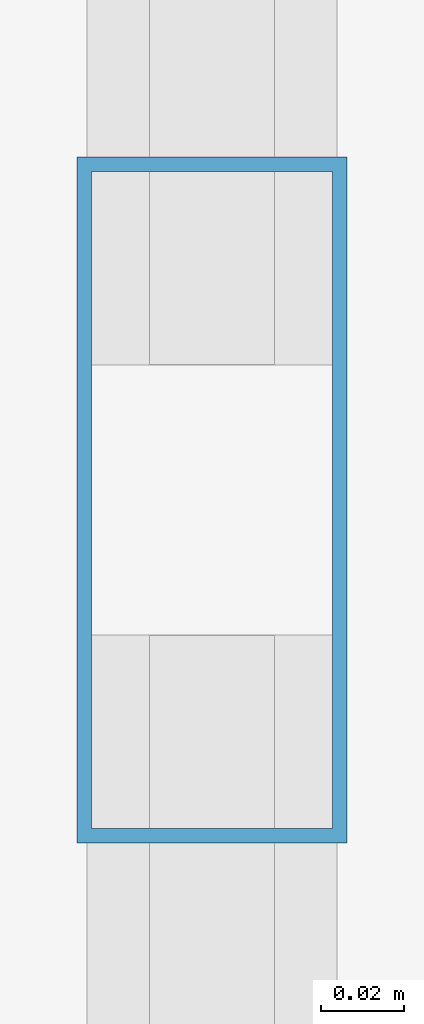
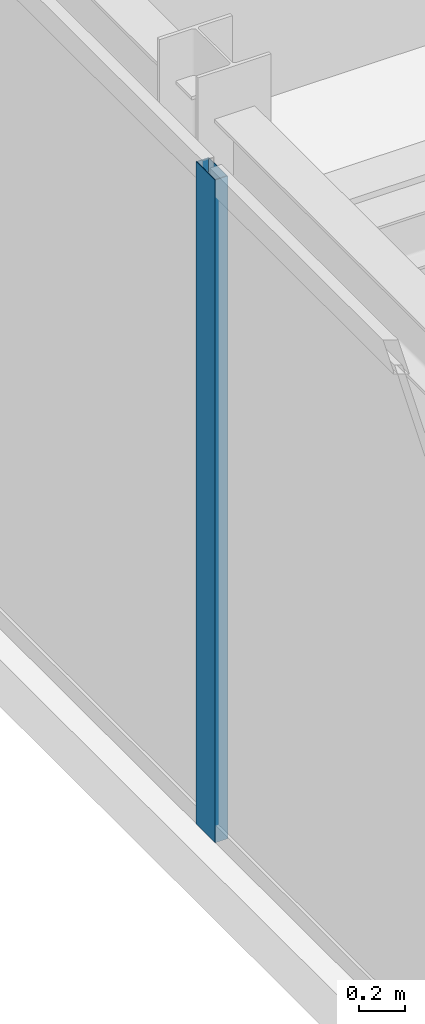
# One storey, part 9 of 26: 1 member, 1 element without a shape of its own.
"""IFC4 building model written with IfcOpenShell, lengths in metres."""

from ifc_helpers import new_model, si_unit, direction, frame, origin, origin_2d, place, context, subcontext, project, spatial, hollow_rectangle, extrude, source, transform, mapped, material, layer, layer_set, material_profile, profile_set, type_object, type_shapes, element, aggregate, save


model = new_model("IFC4")

# Units and contexts
model_context = context("Model", 3, precision=1e-05, world=origin(), true_north=direction((0.0, 1.0)))
body_context = subcontext(model_context, "Body", "Model", "MODEL_VIEW")
ifc_project = project(units=[si_unit("LENGTHUNIT", "METRE"), si_unit("AREAUNIT", "SQUARE_METRE"), si_unit("VOLUMEUNIT", "CUBIC_METRE"), si_unit("PLANEANGLEUNIT", "RADIAN"), si_unit("MASSUNIT", "GRAM", prefix="KILO")], contexts=[model_context])

# Site, building, storey
site_placement = place(None, origin())
site = spatial("IfcSite", under=ifc_project, at=site_placement, CompositionType="ELEMENT")
building_placement = place(site_placement, origin())
building = spatial("IfcBuilding", under=site, at=building_placement, Name="Varnel Quay Broadcast Tower", CompositionType="ELEMENT")
storey_placement = place(building_placement, frame((0.0, 0.0, 218.800048828125)))
storey = spatial("IfcBuildingStorey", under=building, at=storey_placement, Name="L54", CompositionType="ELEMENT", Elevation=218.800048828125)

# Curtain wall, member
ifc_material = material(Name="Anodised Bronze Aluminium 6063-T6", Category="aluminium")
ifc_layer = layer(ifc_material, 0.18994140625, Name="Anodised Bronze Aluminium 6063-T6")
ifc_layer_set = layer_set([ifc_layer], Name="Anodised Bronze Aluminium 6063-T6")
curtain_wall_type = type_object("IfcCurtainWallType", Name="CW_UpperTower", PredefinedType="NOTDEFINED", material=ifc_layer_set)
curtain_wall_placement = place(storey_placement, origin())
curtain_wall = element("IfcCurtainWall", 1, at=curtain_wall_placement, inside=storey, type_object=curtain_wall_type, Name="L54 West Unitised Curtain Wall", PredefinedType="NOTDEFINED")
ifc_material_profile = material_profile(ifc_material, hollow_rectangle(XDim=0.06494140625, YDim=0.1650390625, WallThickness=0.00341796875, at=origin_2d()), Name="ALU65X165X3.5")
ifc_profile_set = profile_set([ifc_material_profile], Name="Anodised Bronze Aluminium 6063-T6")
member_type = type_object("IfcMemberType", Name="Mull_CWS-03", PredefinedType="MULLION", material=ifc_profile_set)
shared_shape = source(origin(), body_context, "Body", "SweptSolid", [
    extrude(hollow_rectangle(XDim=0.06494140625, YDim=0.1650390625, WallThickness=0.00341796875, at=origin_2d()), origin(), (0.0, 0.0, 1.0), 3.550048828125),
])
type_shapes(member_type, [shared_shape])
member_placement = place(storey_placement, frame((9.64990234375, 28.5, 0.0), z_axis=(0.0, 0.0, 1.0), x_axis=(-1.0, 0.0, 0.0)))
member = element("IfcMember", 2, at=member_placement, type_object=member_type, Name="CWS-03 mullion 2", PredefinedType="MULLION", context=body_context, shape_type="MappedRepresentation", body=[
    mapped(shared_shape, transform((0.0, 0.0, 0.0), x_axis=(1.0, 0.0, 0.0), y_axis=(0.0, 1.0, 0.0), z_axis=(0.0, 0.0, 1.0), scale=1.0)),
])
aggregate(curtain_wall, [member])

save(model, "model.ifc")
